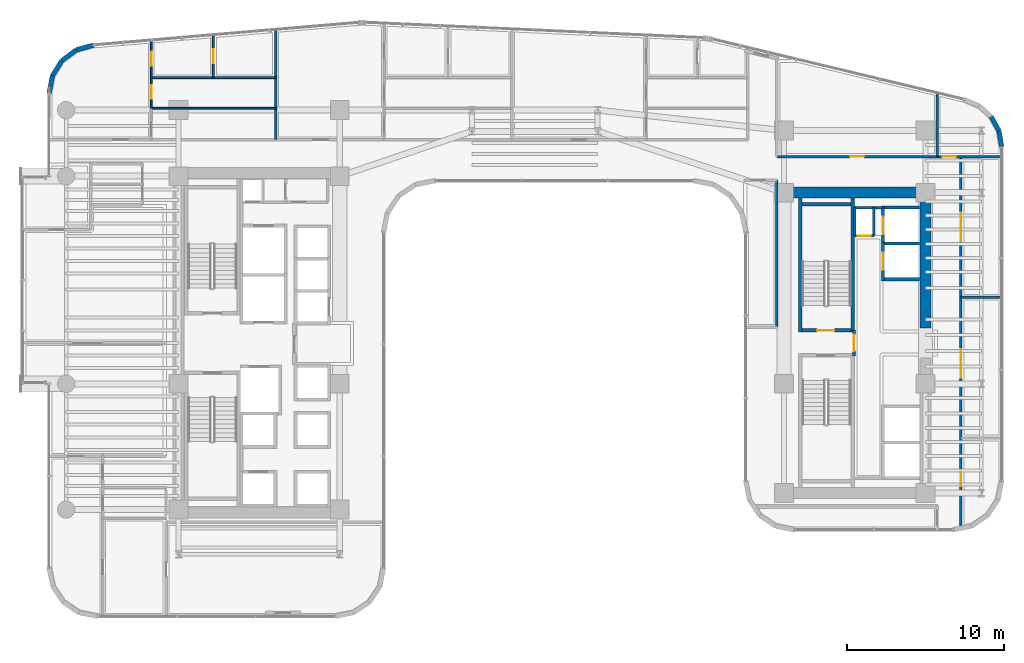
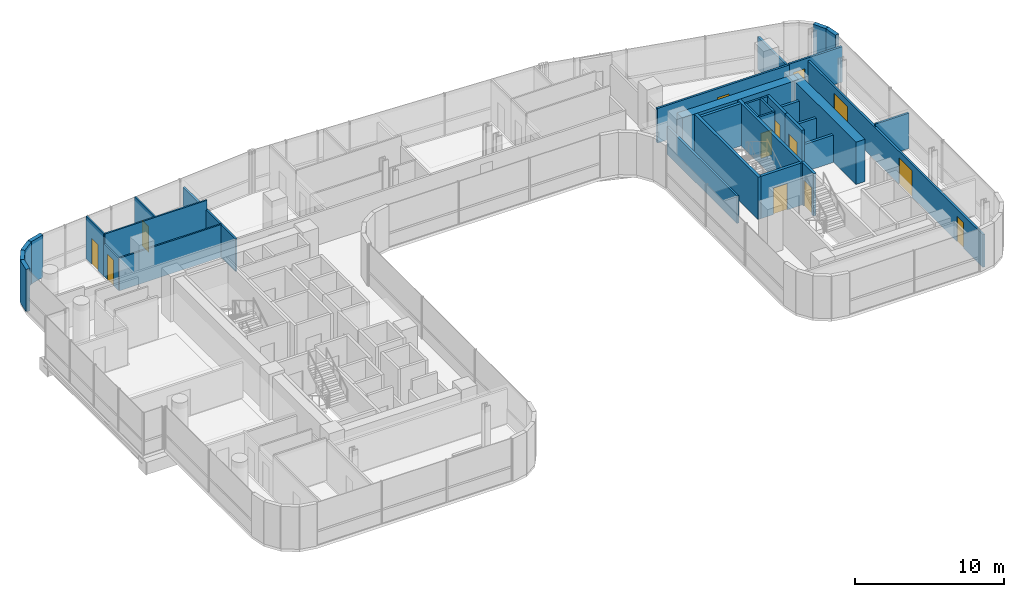
# One storey, part 29 of 35: 34 walls, 13 doors, 13 openings.
"""IFC4 building model written with IfcOpenShell, lengths in metres."""

import ifcopenshell
import ifcopenshell.guid

model = None  # the IFC model being written
_history = None  # IfcOwnerHistory: only IFC2X3 demands one
_inside = {}  # id of a spatial element -> (the spatial element, [elements in it])
_under = {}  # id of a project, library or spatial element -> (it, [spatial elements below it])
_declared = {}  # id of a project -> (the project, [libraries it declares])
_typed = {}  # id of a type object -> (the type object, [elements of that type])
_made_of = {}  # id of a material, layer set ... -> (it, [elements and type objects made of it])


def new_model(schema):
    """Start an empty IFC model of exactly this schema.

    Asked for "IFC4X3", IfcOpenShell would pick the latest addendum, in which some entities
    have other attributes; the version numbers below select the first issue.
    IFC2X3 requires an IfcOwnerHistory on every rooted entity: one is made here for all.
    """
    global model, _history
    if schema == "IFC4X3":
        model = ifcopenshell.file(schema_version=(4, 3, 0, 0))
    else:
        model = ifcopenshell.file(schema=schema)
    _inside.clear()
    _under.clear()
    _declared.clear()
    _typed.clear()
    _made_of.clear()
    _history = None
    if model.schema == "IFC2X3":
        org = make("IfcOrganization", Name="unknown")
        user = make(
            "IfcPersonAndOrganization",
            ThePerson=make("IfcPerson", FamilyName="unknown"),
            TheOrganization=org,
        )
        app = make(
            "IfcApplication",
            ApplicationDeveloper=org,
            Version="unknown",
            ApplicationFullName="unknown",
            ApplicationIdentifier="unknown",
        )
        _history = make(
            "IfcOwnerHistory",
            OwningUser=user,
            OwningApplication=app,
            ChangeAction="ADDED",
            CreationDate=0,
        )
    return model


def make(cls, **values):
    """One entity of the class cls with the attributes given. An attribute that is None is left unset."""
    return model.create_entity(
        cls, **{name: value for name, value in values.items() if value is not None}
    )


def rooted(cls, **values):
    """An entity with a GlobalId (a new one), such as an element, a storey or a relation."""
    return make(cls, GlobalId=ifcopenshell.guid.new(), OwnerHistory=_history, **values)


def si_unit(unit_type, name, prefix=None):
    """IfcSIUnit, for example si_unit("LENGTHUNIT", "METRE", prefix="MILLI")."""
    return make("IfcSIUnit", UnitType=unit_type, Prefix=prefix, Name=name)


def assignment(units):
    """IfcUnitAssignment: the units of a project."""
    return None if units is None else make("IfcUnitAssignment", Units=units)


def point(xyz):
    """IfcCartesianPoint."""
    return None if xyz is None else make("IfcCartesianPoint", Coordinates=xyz)


def direction(xyz):
    """IfcDirection."""
    return None if xyz is None else make("IfcDirection", DirectionRatios=xyz)


def frame(location, z_axis=None, x_axis=None):
    """IfcAxis2Placement3D, a coordinate frame: its origin and axes. An axis left out is left unset."""
    return make(
        "IfcAxis2Placement3D",
        Location=point(location),
        Axis=direction(z_axis),
        RefDirection=direction(x_axis),
    )


def frame_2d(location, x_axis=None):
    """IfcAxis2Placement2D, a coordinate frame in the plane: its origin and x axis."""
    return make(
        "IfcAxis2Placement2D", Location=point(location), RefDirection=direction(x_axis)
    )


def origin():
    """The frame at (0, 0, 0) with its axes left unset."""
    return frame((0.0, 0.0, 0.0))


def place(relative_to, where):
    """IfcLocalPlacement: puts the frame where relative to a parent placement (None: the world)."""
    return make(
        "IfcLocalPlacement", PlacementRelTo=relative_to, RelativePlacement=where
    )


def context(
    kind, dimensions, precision=None, world=None, true_north=None, identifier=None
):
    """IfcGeometricRepresentationContext, for example the 3D "Model" context."""
    return make(
        "IfcGeometricRepresentationContext",
        ContextIdentifier=identifier,
        ContextType=kind,
        CoordinateSpaceDimension=dimensions,
        Precision=precision,
        WorldCoordinateSystem=world,
        TrueNorth=true_north,
    )


def subcontext(parent, identifier, kind, view, scale=None):
    """IfcGeometricRepresentationSubContext, for example "Body" below "Model"."""
    return make(
        "IfcGeometricRepresentationSubContext",
        ContextIdentifier=identifier,
        ContextType=kind,
        ParentContext=parent,
        TargetScale=scale,
        TargetView=view,
    )


def project(units=None, contexts=None):
    """IfcProject with its units and contexts."""
    return rooted(
        "IfcProject",
        Name="project",
        RepresentationContexts=contexts,
        UnitsInContext=assignment(units),
    )


def spatial(cls, under=None, at=None, **own):
    """A site, building, storey or space (cls), placed at a placement, below another one or the project."""
    s = rooted(cls, ObjectPlacement=at, **own)
    if under is not None:
        _under.setdefault(under.id(), (under, []))[1].append(s)
    return s


def profile(cls, at=None, kind="AREA", **sizes):
    """A parametric profile (cls). Its sizes go by their IFC names, for example OverallWidth=200.0."""
    return make(cls, ProfileType=kind, Position=at, **sizes)


def rectangle(**sizes):
    """IfcRectangleProfileDef."""
    return profile("IfcRectangleProfileDef", **sizes)


def extrude(swept, where, along, depth):
    """IfcExtrudedAreaSolid: the profile swept, set in the frame where, extruded along a direction by depth."""
    return make(
        "IfcExtrudedAreaSolid",
        SweptArea=swept,
        Position=where,
        ExtrudedDirection=direction(along),
        Depth=depth,
    )


def shape(context_of_items, identifier, shape_type, items):
    """IfcShapeRepresentation: the items that make up one representation, for example the "Body"."""
    return make(
        "IfcShapeRepresentation",
        ContextOfItems=context_of_items,
        RepresentationIdentifier=identifier,
        RepresentationType=shape_type,
        Items=items,
    )


def material(Name=None, Category=None):
    """IfcMaterial."""
    return make("IfcMaterial", Name=Name, Category=Category)


def layer(
    of_material, thickness, ventilated=None, Name=None, Category=None, Priority=None
):
    """IfcMaterialLayer: one layer of a wall or slab, of a material (None: an air gap)."""
    return make(
        "IfcMaterialLayer",
        Material=of_material,
        LayerThickness=thickness,
        IsVentilated=ventilated,
        Name=Name,
        Category=Category,
        Priority=Priority,
    )


def layer_set(layers, Name=None):
    """IfcMaterialLayerSet."""
    return make("IfcMaterialLayerSet", MaterialLayers=layers, LayerSetName=Name)


def made_of(thing, what):
    """Note that an element or type object is made of a material, layer set ...; save() writes the relation."""
    if what is not None:
        _made_of.setdefault(what.id(), (what, []))[1].append(thing)
    return thing


def type_object(cls, material=None, **own):
    """A type object (cls), such as IfcWallType, which elements share."""
    return made_of(rooted(cls, **own), material)


def element(
    cls,
    number,
    at=None,
    inside=None,
    cuts=None,
    type_object=None,
    material=None,
    context=None,
    identifier="Body",
    shape_type=None,
    held_by="IfcProductDefinitionShape",
    body=None,
    shapes=None,
    **own,
):
    """One element of the class cls, such as IfcWall. Its Tag is "e" and its number.

    at: its placement. inside: the storey or other place that contains it. cuts: it is an
    opening in that element (IfcRelVoidsElement). A single representation is given by context,
    identifier, shape_type and body (its items); several are given by shapes. held_by: the class
    of the entity that holds the representations. save() writes the other relations.
    """
    e = rooted(cls, Tag="e%d" % number, ObjectPlacement=at, **own)
    if body is not None:
        shapes = [shape(context, identifier, shape_type, body)]
    if shapes is not None:
        e.Representation = make(held_by, Representations=shapes)
    if inside is not None:
        _inside.setdefault(inside.id(), (inside, []))[1].append(e)
    if cuts is not None:
        rooted(
            "IfcRelVoidsElement", RelatingBuildingElement=cuts, RelatedOpeningElement=e
        )
    if type_object is not None:
        _typed.setdefault(type_object.id(), (type_object, []))[1].append(e)
    return made_of(e, material)


def fill(opening, filler):
    """IfcRelFillsElement: the door or window that sits in an opening."""
    return rooted(
        "IfcRelFillsElement",
        RelatingOpeningElement=opening,
        RelatedBuildingElement=filler,
    )


def aggregate(whole, parts):
    """IfcRelAggregates: a whole, such as a stair, and the parts it consists of."""
    return rooted("IfcRelAggregates", RelatingObject=whole, RelatedObjects=parts)


def save(model, path):
    """Write the relations noted so far, then the file.

    IfcRelAggregates (storeys below a building ...), IfcRelContainedInSpatialStructure (elements
    in a storey), IfcRelDefinesByType, IfcRelAssociatesMaterial and IfcRelDeclares: one each for
    every whole, place, type object, material and project.
    """
    for whole, parts in _under.values():
        aggregate(whole, parts)
    for where, things in _inside.values():
        rooted(
            "IfcRelContainedInSpatialStructure",
            RelatedElements=things,
            RelatingStructure=where,
        )
    for kind, things in _typed.values():
        rooted("IfcRelDefinesByType", RelatedObjects=things, RelatingType=kind)
    for what, things in _made_of.values():
        rooted("IfcRelAssociatesMaterial", RelatedObjects=things, RelatingMaterial=what)
    for by, libraries in _declared.values():
        rooted("IfcRelDeclares", RelatingContext=by, RelatedDefinitions=libraries)
    model.write(path)


model = new_model("IFC4")

# Units and contexts
model_context = context("Model", 3, precision=1e-05, world=origin(), true_north=direction((0.0, 1.0)))
body_context = subcontext(model_context, "Body", "Model", "MODEL_VIEW")
ifc_project = project(units=[si_unit("LENGTHUNIT", "METRE"), si_unit("AREAUNIT", "SQUARE_METRE"), si_unit("VOLUMEUNIT", "CUBIC_METRE"), si_unit("PLANEANGLEUNIT", "RADIAN"), si_unit("MASSUNIT", "GRAM", prefix="KILO")], contexts=[model_context])

# Site, building, storey
site_placement = place(None, origin())
site = spatial("IfcSite", under=ifc_project, at=site_placement, CompositionType="ELEMENT")
building_placement = place(site_placement, origin())
building = spatial("IfcBuilding", under=site, at=building_placement, Name="Valdorenza Pilgrim Sanctuary Tower", CompositionType="ELEMENT")
storey_placement = place(building_placement, frame((0.0, 0.0, 105.699951171875)))
storey = spatial("IfcBuildingStorey", under=building, at=storey_placement, Name="L26", CompositionType="ELEMENT", Elevation=105.699951171875)

# Wall, opening, door
ifc_material_1 = material(Name="Acoustic twin-stud gypsum partition", Category="gypsum")
ifc_layer_1 = layer(ifc_material_1, 0.159912109375, Name="Acoustic twin-stud gypsum partition")
ifc_layer_set_1 = layer_set([ifc_layer_1], Name="Acoustic twin-stud gypsum partition")
wall_type_1 = type_object("IfcWallType", Name="WAL-COR-160", PredefinedType="PARTITIONING", material=ifc_layer_set_1)
wall_1_placement = place(storey_placement, frame((20.35009765625, 6.800048828125, 0.0), z_axis=(0.0, 0.0, 1.0), x_axis=(1.0, 0.0, 0.0)))
wall_1 = element("IfcWall", 1, at=wall_1_placement, inside=storey, type_object=wall_type_1, Name="L26 Core B Riser South Wall", PredefinedType="PARTITIONING", context=body_context, shape_type="SweptSolid", body=[
    extrude(rectangle(XDim=1.199951171875, YDim=0.159912109375, at=frame_2d((0.60009765625, 0.0))), origin(), (0.0, 0.0, 1.0), 3.4599609375),
])
opening_1_placement = place(wall_1_placement, frame((0.175048828125, 0.0, 0.0)))
opening_1 = element("IfcOpeningElement", 2, at=opening_1_placement, cuts=wall_1, Name="Opening DR-RS1", PredefinedType="OPENING", context=body_context, shape_type="SweptSolid", body=[
    extrude(rectangle(XDim=0.85009765625, YDim=2.050048828125, at=frame_2d((0.425048828125, 1.02490234375))), frame((0.0, 0.0947265625, 0.0), z_axis=(0.0, -1.0, 0.0), x_axis=(1.0, 0.0, 0.0)), (0.0, 0.0, 1.0), 0.189697265625),
])
ifc_material_2 = material(Name="Painted galvanized steel", Category="steel")
door_type_1 = type_object("IfcDoorType", Name="DR-RSR-850", OperationType="NOTDEFINED", PredefinedType="DOOR", material=ifc_material_2)
door_1_placement = place(opening_1_placement, origin())
door_1 = element("IfcDoor", 3, at=door_1_placement, inside=storey, type_object=door_type_1, Name="L26 Core B Electrical Riser Door", OperationType="SINGLE_SWING_LEFT", OverallHeight=2.050048828125, OverallWidth=0.85009765625, PredefinedType="DOOR", context=body_context, shape_type="SweptSolid", body=[
    extrude(rectangle(XDim=0.85009765625, YDim=2.050048828125, at=frame_2d((0.425048828125, 1.02490234375))), frame((0.0, 0.02490234375, 0.0), z_axis=(0.0, -1.0, 0.0), x_axis=(1.0, 0.0, 0.0)), (0.0, 0.0, 1.0), 0.050048828125),
])
fill(opening_1, door_1)

# Walls
for number, where, z_axis, x_axis, name in (
    (4, (21.550048828125, 6.800048828125, 0.0), (0.0, 0.0, 1.0), (0.0, 1.0, 0.0), "L26 Core B Riser East Wall"),
    (5, (20.35009765625, 6.800048828125, 0.0), (0.0, 0.0, 1.0), (0.0, 1.0, 0.0), "L26 Core B Riser West Wall"),
):
    element("IfcWall", number, at=place(storey_placement, frame(where, z_axis=z_axis, x_axis=x_axis)), inside=storey, type_object=wall_type_1, Name=name, PredefinedType="PARTITIONING", context=body_context, shape_type="SweptSolid", body=[
        extrude(rectangle(XDim=1.800048828125, YDim=0.159912109375, at=frame_2d((0.89990234375, 0.0))), origin(), (0.0, 0.0, 1.0), 3.4599609375),
    ])
wall_2_placement = place(storey_placement, frame((20.300048828125, 8.60009765625, 0.0), z_axis=(0.0, 0.0, 1.0), x_axis=(1.0, 0.0, 0.0)))
element("IfcWall", 6, at=wall_2_placement, inside=storey, type_object=wall_type_1, Name="L26 Core B Lift Hall North End Wall", PredefinedType="PARTITIONING", context=body_context, shape_type="SweptSolid", body=[
    extrude(rectangle(XDim=1.820068359375, YDim=0.159912109375, at=frame_2d((0.91015625, 0.0))), origin(), (0.0, 0.0, 1.0), 3.4599609375),
])

# Wall, opening, door
wall_3_placement = place(storey_placement, frame((15.39990234375, 11.85009765625, 0.0), z_axis=(0.0, 0.0, 1.0), x_axis=(1.0, 0.0, 0.0)))
wall_3 = element("IfcWall", 7, at=wall_3_placement, inside=storey, type_object=wall_type_1, Name="L26 Wing B North Corridor Wall", PredefinedType="PARTITIONING", context=body_context, shape_type="SweptSolid", body=[
    extrude(rectangle(XDim=10.2001953125, YDim=0.159912109375, at=frame_2d((5.10009765625, 0.0))), origin(), (0.0, 0.0, 1.0), 2.833984375),
])
opening_2_placement = place(wall_3_placement, frame((4.64990234375, 0.0, 0.0)))
opening_2 = element("IfcOpeningElement", 8, at=opening_2_placement, cuts=wall_3, Name="Opening DR-RM1", PredefinedType="OPENING", context=body_context, shape_type="SweptSolid", body=[
    extrude(rectangle(XDim=0.89990234375, YDim=2.10009765625, at=frame_2d((0.449951171875, 1.050048828125))), frame((0.0, 0.0947265625, 0.0), z_axis=(0.0, -1.0, 0.0), x_axis=(1.0, 0.0, 0.0)), (0.0, 0.0, 1.0), 0.189697265625),
])
ifc_material_3 = material(Name="Solid-core European oak timber", Category="wood")
door_type_2 = type_object("IfcDoorType", Name="DR-ROOM-900", OperationType="NOTDEFINED", PredefinedType="DOOR", material=ifc_material_3)
door_2_placement = place(opening_2_placement, origin())
door_2 = element("IfcDoor", 9, at=door_2_placement, inside=storey, type_object=door_type_2, Name="L26 Curator Research Office L26-BN1 Door", OperationType="SINGLE_SWING_RIGHT", OverallHeight=2.10009765625, OverallWidth=0.89990234375, PredefinedType="DOOR", context=body_context, shape_type="SweptSolid", body=[
    extrude(rectangle(XDim=0.89990234375, YDim=2.10009765625, at=frame_2d((0.449951171875, 1.050048828125))), frame((0.0, 0.02490234375, 0.0), z_axis=(0.0, -1.0, 0.0), x_axis=(1.0, 0.0, 0.0)), (0.0, 0.0, 1.0), 0.050048828125),
])
fill(opening_2, door_2)

# Wall
wall_4_placement = place(storey_placement, frame((25.60009765625, 11.85009765625, 0.0), z_axis=(0.0, 0.0, 1.0), x_axis=(0.0, 1.0, 0.0)))
element("IfcWall", 10, at=wall_4_placement, inside=storey, type_object=wall_type_1, Name="L26 Wing B North East Wall", PredefinedType="PARTITIONING", context=body_context, shape_type="SweptSolid", body=[
    extrude(rectangle(XDim=4.042236328125, YDim=0.159912109375, at=frame_2d((2.02099609375, 0.0))), origin(), (0.0, 0.0, 1.0), 2.666015625),
])

# Wall, openings, doors
wall_5_placement = place(storey_placement, frame((27.10009765625, -11.660888671875, 0.0), z_axis=(0.0, 0.0, 1.0), x_axis=(0.0, 1.0, 0.0)))
wall_5 = element("IfcWall", 11, at=wall_5_placement, inside=storey, type_object=wall_type_1, Name="L26 Wing B East Corridor Wall", PredefinedType="PARTITIONING", context=body_context, shape_type="SweptSolid", body=[
    extrude(rectangle(XDim=23.510986328125, YDim=0.159912109375, at=frame_2d((11.75537109375, 0.0))), origin(), (0.0, 0.0, 1.0), 2.666015625),
])
opening_3_placement = place(wall_5_placement, frame((2.56005859375, 0.0, 0.0)))
opening_3 = element("IfcOpeningElement", 12, at=opening_3_placement, cuts=wall_5, Name="Opening DR-RM1", PredefinedType="OPENING", context=body_context, shape_type="SweptSolid", body=[
    extrude(rectangle(XDim=0.89990234375, YDim=2.10009765625, at=frame_2d((0.449951171875, 1.050048828125))), frame((0.0, 0.0947265625, 0.0), z_axis=(0.0, -1.0, 0.0), x_axis=(1.0, 0.0, 0.0)), (0.0, 0.0, 1.0), 0.189697265625),
])
opening_4_placement = place(wall_5_placement, frame((9.450927734375, 0.0, 0.0)))
opening_4 = element("IfcOpeningElement", 13, at=opening_4_placement, cuts=wall_5, Name="Opening DR-HL1", PredefinedType="OPENING", context=body_context, shape_type="SweptSolid", body=[
    extrude(rectangle(XDim=1.800048828125, YDim=2.14990234375, at=frame_2d((0.89990234375, 1.074951171875))), frame((0.0, 0.0947265625, 0.0), z_axis=(0.0, -1.0, 0.0), x_axis=(1.0, 0.0, 0.0)), (0.0, 0.0, 1.0), 0.189697265625),
])
opening_5_placement = place(wall_5_placement, frame((18.135986328125, 0.0, 0.0)))
opening_5 = element("IfcOpeningElement", 14, at=opening_5_placement, cuts=wall_5, Name="Opening DR-HL1", PredefinedType="OPENING", context=body_context, shape_type="SweptSolid", body=[
    extrude(rectangle(XDim=1.800048828125, YDim=2.14990234375, at=frame_2d((0.89990234375, 1.074951171875))), frame((0.0, 0.0947265625, 0.0), z_axis=(0.0, -1.0, 0.0), x_axis=(1.0, 0.0, 0.0)), (0.0, 0.0, 1.0), 0.189697265625),
])
ifc_material_4 = material(Name="Acoustic oak and vision-glass double door", Category="glass")
door_type_3 = type_object("IfcDoorType", Name="DR-HALL-1800", OperationType="NOTDEFINED", PredefinedType="DOOR", material=ifc_material_4)
door_3_placement = place(opening_4_placement, origin())
door_3 = element("IfcDoor", 15, at=door_3_placement, inside=storey, type_object=door_type_3, Name="L26 East Reading Lounge L26-EB2 Door", OperationType="DOUBLE_DOOR_SINGLE_SWING", OverallHeight=2.14990234375, OverallWidth=1.800048828125, PredefinedType="DOOR", context=body_context, shape_type="SweptSolid", body=[
    extrude(rectangle(XDim=1.800048828125, YDim=2.14990234375, at=frame_2d((0.89990234375, 1.074951171875))), frame((0.0, 0.02490234375, 0.0), z_axis=(0.0, -1.0, 0.0), x_axis=(1.0, 0.0, 0.0)), (0.0, 0.0, 1.0), 0.050048828125),
])
fill(opening_4, door_3)
door_4_placement = place(opening_5_placement, frame((1.800048828125, 0.0, 0.0), z_axis=(0.0, 0.0, 1.0), x_axis=(-1.0, 0.0, 0.0)))
door_4 = element("IfcDoor", 16, at=door_4_placement, inside=storey, type_object=door_type_3, Name="L26 East Reading Lounge L26-EB3 Door", OperationType="DOUBLE_DOOR_SINGLE_SWING", OverallHeight=2.14990234375, OverallWidth=1.800048828125, PredefinedType="DOOR", context=body_context, shape_type="SweptSolid", body=[
    extrude(rectangle(XDim=1.800048828125, YDim=2.14990234375, at=frame_2d((0.89990234375, 1.074951171875))), frame((0.0, 0.02490234375, 0.0), z_axis=(0.0, -1.0, 0.0), x_axis=(1.0, 0.0, 0.0)), (0.0, 0.0, 1.0), 0.050048828125),
])
fill(opening_5, door_4)
door_5_placement = place(opening_3_placement, frame((0.89990234375, 0.0, 0.0), z_axis=(0.0, 0.0, 1.0), x_axis=(-1.0, 0.0, 0.0)))
door_5 = element("IfcDoor", 17, at=door_5_placement, inside=storey, type_object=door_type_2, Name="L26 East Reading Lounge L26-EB1 Door", OperationType="SINGLE_SWING_LEFT", OverallHeight=2.10009765625, OverallWidth=0.89990234375, PredefinedType="DOOR", context=body_context, shape_type="SweptSolid", body=[
    extrude(rectangle(XDim=0.89990234375, YDim=2.10009765625, at=frame_2d((0.449951171875, 1.050048828125))), frame((0.0, 0.02490234375, 0.0), z_axis=(0.0, -1.0, 0.0), x_axis=(1.0, 0.0, 0.0)), (0.0, 0.0, 1.0), 0.050048828125),
])
fill(opening_3, door_5)

# Wall, opening, door
wall_6_placement = place(storey_placement, frame((25.60009765625, 11.85009765625, 0.0), z_axis=(0.0, 0.0, 1.0), x_axis=(1.0, 0.0, 0.0)))
wall_6 = element("IfcWall", 18, at=wall_6_placement, inside=storey, type_object=wall_type_1, Name="L26 East Wing NE Corner South Wall", PredefinedType="PARTITIONING", context=body_context, shape_type="SweptSolid", body=[
    extrude(rectangle(XDim=4.08984375, YDim=0.159912109375, at=frame_2d((2.044921875, 0.0))), origin(), (0.0, 0.0, 1.0), 2.89599609375),
])
opening_6_placement = place(wall_6_placement, frame((0.300048828125, 0.0, 0.0)))
opening_6 = element("IfcOpeningElement", 19, at=opening_6_placement, cuts=wall_6, Name="Opening DR-RM1", PredefinedType="OPENING", context=body_context, shape_type="SweptSolid", body=[
    extrude(rectangle(XDim=0.89990234375, YDim=2.10009765625, at=frame_2d((0.449951171875, 1.050048828125))), frame((0.0, 0.0947265625, 0.0), z_axis=(0.0, -1.0, 0.0), x_axis=(1.0, 0.0, 0.0)), (0.0, 0.0, 1.0), 0.189697265625),
])
door_6_placement = place(opening_6_placement, origin())
door_6 = element("IfcDoor", 20, at=door_6_placement, inside=storey, type_object=door_type_2, Name="L26 East North Alcove Office L26 Door", OperationType="SINGLE_SWING_RIGHT", OverallHeight=2.10009765625, OverallWidth=0.89990234375, PredefinedType="DOOR", context=body_context, shape_type="SweptSolid", body=[
    extrude(rectangle(XDim=0.89990234375, YDim=2.10009765625, at=frame_2d((0.449951171875, 1.050048828125))), frame((0.0, 0.02490234375, 0.0), z_axis=(0.0, -1.0, 0.0), x_axis=(1.0, 0.0, 0.0)), (0.0, 0.0, 1.0), 0.050048828125),
])
fill(opening_6, door_6)

# Walls
wall_7_placement = place(storey_placement, frame((15.39990234375, 1.0, 0.0), z_axis=(0.0, 0.0, 1.0), x_axis=(0.0, 1.0, 0.0)))
element("IfcWall", 21, at=wall_7_placement, inside=storey, type_object=wall_type_1, Name="L26 Courtyard Overlook East Wall", PredefinedType="PARTITIONING", context=body_context, shape_type="SweptSolid", body=[
    extrude(rectangle(XDim=9.35009765625, YDim=0.159912109375, at=frame_2d((4.675048828125, 0.0))), origin(), (0.0, 0.0, 1.0), 2.2451171875),
])
ifc_material_5 = material(Name="Concrete C60/75", Category="concrete")
ifc_layer_2 = layer(ifc_material_5, 0.699951171875, Name="Concrete C60/75")
ifc_layer_set_2 = layer_set([ifc_layer_2], Name="Concrete C60/75")
wall_type_2 = type_object("IfcWallType", Name="WAL-COR-700", PredefinedType="SHEAR", material=ifc_layer_set_2)
wall_8_placement = place(storey_placement, frame((24.85009765625, 0.949951171875, 0.0), z_axis=(0.0, 0.0, 1.0), x_axis=(0.0, 1.0, 0.0)))
element("IfcWall", 22, at=wall_8_placement, inside=storey, type_object=wall_type_2, Name="L26 Split Core B Shear Wall EN", PredefinedType="SHEAR", context=body_context, shape_type="SweptSolid", body=[
    extrude(rectangle(XDim=8.949951171875, YDim=0.699951171875, at=frame_2d((4.47509765625, 0.0))), origin(), (0.0, 0.0, 1.0), 3.4599609375),
])
wall_9_placement = place(storey_placement, frame((15.85009765625, 9.550048828125, 0.0), z_axis=(0.0, 0.0, 1.0), x_axis=(1.0, 0.0, 0.0)))
element("IfcWall", 23, at=wall_9_placement, inside=storey, type_object=wall_type_2, Name="L26 Split Core B Shear Wall N", PredefinedType="SHEAR", context=body_context, shape_type="SweptSolid", body=[
    extrude(rectangle(XDim=9.0, YDim=0.699951171875, at=frame_2d((4.5, 0.0))), origin(), (0.0, 0.0, 1.0), 3.4599609375),
])
ifc_material_6 = material(Name="Honed travertine limestone", Category="masonry")
ifc_layer_3 = layer(ifc_material_6, 0.300048828125, Name="Honed travertine limestone")
ifc_layer_set_3 = layer_set([ifc_layer_3], Name="Honed travertine limestone")
wall_type_3 = type_object("IfcWallType", Name="WAL-EXT-300", PredefinedType="SOLIDWALL", material=ifc_layer_set_3)
wall_10_placement = place(storey_placement, frame((-30.889892578125, 15.850341796875, 0.0), z_axis=(0.0, 0.0, 1.0), x_axis=(0.184557499391, 0.982821718023, 0.0)))
element("IfcWall", 24, at=wall_10_placement, inside=storey, type_object=wall_type_3, Name="L26 Rounded Wind-Corner Stone Pier 2", PredefinedType="SOLIDWALL", context=body_context, shape_type="SweptSolid", body=[
    extrude(rectangle(XDim=1.15087890625, YDim=0.300048828125, at=frame_2d((0.575439453125, 0.0))), origin(), (0.0, 0.0, 1.0), 3.4599609375),
])
wall_11_placement = place(storey_placement, frame((-30.677490234375, 16.9814453125, 0.0), z_axis=(0.0, 0.0, 1.0), x_axis=(0.52880576008, 0.848742875143, 0.0)))
element("IfcWall", 25, at=wall_11_placement, inside=storey, type_object=wall_type_3, Name="L26 Rounded Wind-Corner Stone Pier 3", PredefinedType="SOLIDWALL", context=body_context, shape_type="SweptSolid", body=[
    extrude(rectangle(XDim=1.140869140625, YDim=0.300048828125, at=frame_2d((0.5703125, 0.0))), origin(), (0.0, 0.0, 1.0), 3.4599609375),
])
wall_12_placement = place(storey_placement, frame((-30.07421875, 17.94970703125, 0.0), z_axis=(0.0, 0.0, 1.0), x_axis=(0.800975009324, 0.598697782223, 0.0)))
element("IfcWall", 26, at=wall_12_placement, inside=storey, type_object=wall_type_3, Name="L26 Rounded Wind-Corner Stone Pier 4", PredefinedType="SOLIDWALL", context=body_context, shape_type="SweptSolid", body=[
    extrude(rectangle(XDim=1.140625, YDim=0.300048828125, at=frame_2d((0.5703125, 0.0))), origin(), (0.0, 0.0, 1.0), 3.4599609375),
])
wall_13_placement = place(storey_placement, frame((-29.16064453125, 18.632568359375, 0.0), z_axis=(0.0, 0.0, 1.0), x_axis=(0.963624193367, 0.267260947313, 0.0)))
element("IfcWall", 27, at=wall_13_placement, inside=storey, type_object=wall_type_3, Name="L26 Rounded Wind-Corner Stone Pier 5", PredefinedType="SOLIDWALL", context=body_context, shape_type="SweptSolid", body=[
    extrude(rectangle(XDim=1.15087890625, YDim=0.300048828125, at=frame_2d((0.575439453125, 0.0))), origin(), (0.0, 0.0, 1.0), 3.4599609375),
])
wall_14_placement = place(storey_placement, frame((29.024658203125, 14.388427734375, 0.0), z_axis=(0.0, 0.0, 1.0), x_axis=(0.480284137298, -0.87711296163, 0.0)))
element("IfcWall", 28, at=wall_14_placement, inside=storey, type_object=wall_type_3, Name="L26 Rounded Wind-Corner Stone Pier 19", PredefinedType="SOLIDWALL", context=body_context, shape_type="SweptSolid", body=[
    extrude(rectangle(XDim=1.02685546875, YDim=0.300048828125, at=frame_2d((0.513427734375, 0.0))), origin(), (0.0, 0.0, 1.0), 3.4599609375),
])
wall_15_placement = place(storey_placement, frame((29.517822265625, 13.48779296875, 0.0), z_axis=(0.0, 0.0, 1.0), x_axis=(0.166156796952, -0.986099345313, 0.0)))
element("IfcWall", 29, at=wall_15_placement, inside=storey, type_object=wall_type_3, Name="L26 Rounded Wind-Corner Stone Pier 20", PredefinedType="SOLIDWALL", context=body_context, shape_type="SweptSolid", body=[
    extrude(rectangle(XDim=1.035888671875, YDim=0.300048828125, at=frame_2d((0.51806640625, 0.0))), origin(), (0.0, 0.0, 1.0), 3.4599609375),
])

# Wall, opening, door
ifc_material_7 = material(Name="Gypsum shaftwall partition", Category="gypsum")
ifc_layer_4 = layer(ifc_material_7, 0.199951171875, Name="Gypsum shaftwall partition")
ifc_layer_set_4 = layer_set([ifc_layer_4], Name="Gypsum shaftwall partition")
wall_type_4 = type_object("IfcWallType", Name="WAL-FFL-200", PredefinedType="PARTITIONING", material=ifc_layer_set_4)
wall_16_placement = place(storey_placement, frame((20.300048828125, -0.820068359375, 0.0), z_axis=(0.0, 0.0, 1.0), x_axis=(0.0, 1.0, 0.0)))
wall_16 = element("IfcWall", 30, at=wall_16_placement, inside=storey, type_object=wall_type_4, Name="L26 Core B Firefighting Lobby East Wall", PredefinedType="PARTITIONING", context=body_context, shape_type="SweptSolid", body=[
    extrude(rectangle(XDim=1.64013671875, YDim=0.199951171875, at=frame_2d((0.820068359375, 0.0))), origin(), (0.0, 0.0, 1.0), 3.4599609375),
])
opening_7_placement = place(wall_16_placement, frame((0.294921875, 0.0, 0.0)))
opening_7 = element("IfcOpeningElement", 31, at=opening_7_placement, cuts=wall_16, Name="Opening DR-FL1", PredefinedType="OPENING", context=body_context, shape_type="SweptSolid", body=[
    extrude(rectangle(XDim=1.050048828125, YDim=2.14990234375, at=frame_2d((0.52490234375, 1.074951171875))), frame((0.0, 0.11474609375, 0.0), z_axis=(0.0, -1.0, 0.0), x_axis=(1.0, 0.0, 0.0)), (0.0, 0.0, 1.0), 0.229736328125),
])
door_type_4 = type_object("IfcDoorType", Name="DR-FFL-1050", OperationType="NOTDEFINED", PredefinedType="DOOR", material=ifc_material_2)
door_7_placement = place(opening_7_placement, origin())
door_7 = element("IfcDoor", 32, at=door_7_placement, inside=storey, type_object=door_type_4, Name="L26 Core B Firefighting Lobby Door", OperationType="SINGLE_SWING_RIGHT", OverallHeight=2.14990234375, OverallWidth=1.050048828125, PredefinedType="DOOR", context=body_context, shape_type="SweptSolid", body=[
    extrude(rectangle(XDim=1.050048828125, YDim=2.14990234375, at=frame_2d((0.52490234375, 1.074951171875))), frame((0.0, 0.02490234375, 0.0), z_axis=(0.0, -1.0, 0.0), x_axis=(1.0, 0.0, 0.0)), (0.0, 0.0, 1.0), 0.050048828125),
])
fill(opening_7, door_7)

# Walls
ifc_material_8 = material(Name="Moisture-resistant gypsum partition", Category="gypsum")
ifc_layer_5 = layer(ifc_material_8, 0.1201171875, Name="Moisture-resistant gypsum partition")
ifc_layer_set_5 = layer_set([ifc_layer_5], Name="Moisture-resistant gypsum partition")
wall_type_5 = type_object("IfcWallType", Name="WAL-INT-120", PredefinedType="PARTITIONING", material=ifc_layer_set_5)
wall_17_placement = place(storey_placement, frame((-24.38720703125, 14.919921875, 0.0), z_axis=(0.0, 0.0, 1.0), x_axis=(1.0, 0.0, 0.0)))
element("IfcWall", 33, at=wall_17_placement, inside=storey, type_object=wall_type_5, Name="L26 North Family Flat L26-N1 Bath-Kitchen Wall", PredefinedType="PARTITIONING", context=body_context, shape_type="SweptSolid", body=[
    extrude(rectangle(XDim=7.904296875, YDim=0.1201171875, at=frame_2d((3.9521484375, 0.0))), origin(), (0.0, 0.0, 1.0), 2.666015625),
])
wall_18_placement = place(storey_placement, frame((-24.38720703125, 16.8701171875, 0.0), z_axis=(0.0, 0.0, 1.0), x_axis=(1.0, 0.0, 0.0)))
element("IfcWall", 34, at=wall_18_placement, inside=storey, type_object=wall_type_5, Name="L26 North Family Flat L26-N1 Kitchen-Bedroom Wall", PredefinedType="PARTITIONING", context=body_context, shape_type="SweptSolid", body=[
    extrude(rectangle(XDim=7.904296875, YDim=0.1201171875, at=frame_2d((3.9521484375, 0.0))), origin(), (0.0, 0.0, 1.0), 3.4599609375),
])

# Wall, opening, door
wall_19_placement = place(storey_placement, frame((-24.38720703125, 14.919921875, 0.0), z_axis=(0.0, 0.0, 1.0), x_axis=(0.0, 1.0, 0.0)))
wall_19 = element("IfcWall", 35, at=wall_19_placement, inside=storey, type_object=wall_type_5, Name="L26 North Family Flat L26-N1 Bathroom Door Wall", PredefinedType="PARTITIONING", context=body_context, shape_type="SweptSolid", body=[
    extrude(rectangle(XDim=1.9501953125, YDim=0.1201171875, at=frame_2d((0.97509765625, 0.0))), origin(), (0.0, 0.0, 1.0), 2.666015625),
])
opening_8_placement = place(wall_19_placement, frame((0.6201171875, 0.0, 0.0)))
opening_8 = element("IfcOpeningElement", 36, at=opening_8_placement, cuts=wall_19, Name="Opening DR-WC1", PredefinedType="OPENING", context=body_context, shape_type="SweptSolid", body=[
    extrude(rectangle(XDim=0.85009765625, YDim=2.10009765625, at=frame_2d((0.425048828125, 1.050048828125))), frame((0.0, 0.074951171875, 0.0), z_axis=(0.0, -1.0, 0.0), x_axis=(1.0, 0.0, 0.0)), (0.0, 0.0, 1.0), 0.14990234375),
])
ifc_material_9 = material(Name="Moisture-resistant lacquered timber", Category="wood")
door_type_5 = type_object("IfcDoorType", Name="DR-BATH-850", OperationType="NOTDEFINED", PredefinedType="DOOR", material=ifc_material_9)
door_8_placement = place(opening_8_placement, origin())
door_8 = element("IfcDoor", 37, at=door_8_placement, inside=storey, type_object=door_type_5, Name="L26 North Family Flat L26-N1 Bathroom Door", OperationType="SINGLE_SWING_RIGHT", OverallHeight=2.10009765625, OverallWidth=0.85009765625, PredefinedType="DOOR", context=body_context, shape_type="SweptSolid", body=[
    extrude(rectangle(XDim=0.85009765625, YDim=2.10009765625, at=frame_2d((0.425048828125, 1.050048828125))), frame((0.0, 0.02490234375, 0.0), z_axis=(0.0, -1.0, 0.0), x_axis=(1.0, 0.0, 0.0)), (0.0, 0.0, 1.0), 0.050048828125),
])
fill(opening_8, door_8)

wall_20_placement = place(storey_placement, frame((-24.38720703125, 16.8701171875, 0.0), z_axis=(0.0, 0.0, 1.0), x_axis=(0.0, 1.0, 0.0)))
wall_20 = element("IfcWall", 38, at=wall_20_placement, inside=storey, type_object=wall_type_5, Name="L26 North Family Flat L26-N1 Bedroom Door Wall", PredefinedType="PARTITIONING", context=body_context, shape_type="SweptSolid", body=[
    extrude(rectangle(XDim=2.381591796875, YDim=0.1201171875, at=frame_2d((1.19091796875, 0.0))), origin(), (0.0, 0.0, 1.0), 3.4599609375),
])
opening_9_placement = place(wall_20_placement, frame((0.740966796875, 0.0, 0.0)))
opening_9 = element("IfcOpeningElement", 39, at=opening_9_placement, cuts=wall_20, Name="Opening DR-RM1", PredefinedType="OPENING", context=body_context, shape_type="SweptSolid", body=[
    extrude(rectangle(XDim=0.89990234375, YDim=2.10009765625, at=frame_2d((0.449951171875, 1.050048828125))), frame((0.0, 0.074951171875, 0.0), z_axis=(0.0, -1.0, 0.0), x_axis=(1.0, 0.0, 0.0)), (0.0, 0.0, 1.0), 0.14990234375),
])
door_9_placement = place(opening_9_placement, origin())
door_9 = element("IfcDoor", 40, at=door_9_placement, inside=storey, type_object=door_type_2, Name="L26 North Family Flat L26-N1 Bedroom 1 Door", OperationType="SINGLE_SWING_RIGHT", OverallHeight=2.10009765625, OverallWidth=0.89990234375, PredefinedType="DOOR", context=body_context, shape_type="SweptSolid", body=[
    extrude(rectangle(XDim=0.89990234375, YDim=2.10009765625, at=frame_2d((0.449951171875, 1.050048828125))), frame((0.0, 0.02490234375, 0.0), z_axis=(0.0, -1.0, 0.0), x_axis=(1.0, 0.0, 0.0)), (0.0, 0.0, 1.0), 0.050048828125),
])
fill(opening_9, door_9)

wall_21_placement = place(storey_placement, frame((-20.43505859375, 16.8701171875, 0.0), z_axis=(0.0, 0.0, 1.0), x_axis=(0.0, 1.0, 0.0)))
wall_21 = element("IfcWall", 41, at=wall_21_placement, inside=storey, type_object=wall_type_5, Name="L26 North Family Flat L26-N1 Bedroom 2 Wall", PredefinedType="PARTITIONING", context=body_context, shape_type="SweptSolid", body=[
    extrude(rectangle(XDim=2.717529296875, YDim=0.1201171875, at=frame_2d((1.35888671875, 0.0))), origin(), (0.0, 0.0, 1.0), 3.4599609375),
])
opening_10_placement = place(wall_21_placement, frame((0.89990234375, 0.0, 0.0)))
opening_10 = element("IfcOpeningElement", 42, at=opening_10_placement, cuts=wall_21, Name="Opening DR-RM1", PredefinedType="OPENING", context=body_context, shape_type="SweptSolid", body=[
    extrude(rectangle(XDim=0.89990234375, YDim=2.10009765625, at=frame_2d((0.449951171875, 1.050048828125))), frame((0.0, 0.074951171875, 0.0), z_axis=(0.0, -1.0, 0.0), x_axis=(1.0, 0.0, 0.0)), (0.0, 0.0, 1.0), 0.14990234375),
])
door_10_placement = place(opening_10_placement, frame((0.89990234375, 0.0, 0.0), z_axis=(0.0, 0.0, 1.0), x_axis=(-1.0, 0.0, 0.0)))
door_10 = element("IfcDoor", 43, at=door_10_placement, inside=storey, type_object=door_type_2, Name="L26 North Family Flat L26-N1 Bedroom 2 Door", OperationType="SINGLE_SWING_LEFT", OverallHeight=2.10009765625, OverallWidth=0.89990234375, PredefinedType="DOOR", context=body_context, shape_type="SweptSolid", body=[
    extrude(rectangle(XDim=0.89990234375, YDim=2.10009765625, at=frame_2d((0.449951171875, 1.050048828125))), frame((0.0, 0.02490234375, 0.0), z_axis=(0.0, -1.0, 0.0), x_axis=(1.0, 0.0, 0.0)), (0.0, 0.0, 1.0), 0.050048828125),
])
fill(opening_10, door_10)

ifc_material_10 = material(Name="Autoclaved aerated concrete blockwork", Category="masonry")
ifc_layer_6 = layer(ifc_material_10, 0.199951171875, Name="Autoclaved aerated concrete blockwork")
ifc_layer_set_6 = layer_set([ifc_layer_6], Name="Autoclaved aerated concrete blockwork")
wall_type_6 = type_object("IfcWallType", Name="WAL-SHF-200", PredefinedType="MOVABLE", material=ifc_layer_set_6)
wall_22_placement = place(storey_placement, frame((22.14990234375, 3.949951171875, 0.0), z_axis=(0.0, 0.0, 1.0), x_axis=(0.0, 1.0, 0.0)))
wall_22 = element("IfcWall", 44, at=wall_22_placement, inside=storey, type_object=wall_type_6, Name="L26 Lift PL-07 Hoistway Wall West", PredefinedType="MOVABLE", context=body_context, shape_type="SweptSolid", body=[
    extrude(rectangle(XDim=2.47509765625, YDim=0.199951171875, at=frame_2d((1.237548828125, 0.0))), origin(), (0.0, 0.0, 1.0), 3.4599609375),
])
opening_11_placement = place(wall_22_placement, frame((0.6875, 0.0, 0.0)))
opening_11 = element("IfcOpeningElement", 45, at=opening_11_placement, cuts=wall_22, Name="Opening LD-01", PredefinedType="OPENING", context=body_context, shape_type="SweptSolid", body=[
    extrude(rectangle(XDim=1.10009765625, YDim=2.10009765625, at=frame_2d((0.550048828125, 1.050048828125))), frame((0.0, 0.11474609375, 0.0), z_axis=(0.0, -1.0, 0.0), x_axis=(1.0, 0.0, 0.0)), (0.0, 0.0, 1.0), 0.229736328125),
])
ifc_material_11 = material(Name="Brushed stainless steel Grade 316", Category="steel")
door_type_6 = type_object("IfcDoorType", Name="DR-LFT-1100", OperationType="DOUBLE_DOOR_SLIDING", PredefinedType="DOOR", material=ifc_material_11)
door_11_placement = place(opening_11_placement, origin())
door_11 = element("IfcDoor", 46, at=door_11_placement, inside=storey, type_object=door_type_6, Name="L26 Lift PL-07 Sliding Landing Door", OperationType="DOUBLE_DOOR_SLIDING", OverallHeight=2.10009765625, OverallWidth=1.10009765625, PredefinedType="DOOR", context=body_context, shape_type="SweptSolid", body=[
    extrude(rectangle(XDim=1.10009765625, YDim=2.10009765625, at=frame_2d((0.550048828125, 1.050048828125))), frame((0.0, 0.02490234375, 0.0), z_axis=(0.0, -1.0, 0.0), x_axis=(1.0, 0.0, 0.0)), (0.0, 0.0, 1.0), 0.050048828125),
])
fill(opening_11, door_11)

# Walls
for number, where, z_axis, x_axis, name in (
    (47, (22.25, 4.050048828125, 0.0), (0.0, 0.0, 1.0), (1.0, 0.0, 0.0), "L26 Lift PL-07 Hoistway Wall South"),
    (48, (22.25, 6.324951171875, 0.0), (0.0, 0.0, 1.0), (1.0, 0.0, 0.0), "L26 Lift PL-07 Hoistway Wall North"),
):
    element("IfcWall", number, at=place(storey_placement, frame(where, z_axis=z_axis, x_axis=x_axis)), inside=storey, type_object=wall_type_6, Name=name, PredefinedType="MOVABLE", context=body_context, shape_type="SweptSolid", body=[
        extrude(rectangle(XDim=2.22998046875, YDim=0.199951171875, at=frame_2d((1.114990234375, 0.0))), origin(), (0.0, 0.0, 1.0), 2.2451171875),
    ])

# Wall, opening, door
wall_23_placement = place(storey_placement, frame((22.14990234375, 6.22509765625, 0.0), z_axis=(0.0, 0.0, 1.0), x_axis=(0.0, 1.0, 0.0)))
wall_23 = element("IfcWall", 49, at=wall_23_placement, inside=storey, type_object=wall_type_6, Name="L26 Lift PL-08 Hoistway Wall West", PredefinedType="MOVABLE", context=body_context, shape_type="SweptSolid", body=[
    extrude(rectangle(XDim=2.474853515625, YDim=0.199951171875, at=frame_2d((1.2373046875, 0.0))), origin(), (0.0, 0.0, 1.0), 3.4599609375),
])
opening_12_placement = place(wall_23_placement, frame((0.6875, 0.0, 0.0)))
opening_12 = element("IfcOpeningElement", 50, at=opening_12_placement, cuts=wall_23, Name="Opening LD-01", PredefinedType="OPENING", context=body_context, shape_type="SweptSolid", body=[
    extrude(rectangle(XDim=1.10009765625, YDim=2.10009765625, at=frame_2d((0.550048828125, 1.050048828125))), frame((0.0, 0.11474609375, 0.0), z_axis=(0.0, -1.0, 0.0), x_axis=(1.0, 0.0, 0.0)), (0.0, 0.0, 1.0), 0.229736328125),
])
door_12_placement = place(opening_12_placement, origin())
door_12 = element("IfcDoor", 51, at=door_12_placement, inside=storey, type_object=door_type_6, Name="L26 Lift PL-08 Sliding Landing Door", OperationType="DOUBLE_DOOR_SLIDING", OverallHeight=2.10009765625, OverallWidth=1.10009765625, PredefinedType="DOOR", context=body_context, shape_type="SweptSolid", body=[
    extrude(rectangle(XDim=1.10009765625, YDim=2.10009765625, at=frame_2d((0.550048828125, 1.050048828125))), frame((0.0, 0.02490234375, 0.0), z_axis=(0.0, -1.0, 0.0), x_axis=(1.0, 0.0, 0.0)), (0.0, 0.0, 1.0), 0.050048828125),
])
fill(opening_12, door_12)

# Walls
wall_24_placement = place(storey_placement, frame((22.25, 8.60009765625, 0.0), z_axis=(0.0, 0.0, 1.0), x_axis=(1.0, 0.0, 0.0)))
element("IfcWall", 52, at=wall_24_placement, inside=storey, type_object=wall_type_6, Name="L26 Lift PL-08 Hoistway Wall North", PredefinedType="MOVABLE", context=body_context, shape_type="SweptSolid", body=[
    extrude(rectangle(XDim=2.22998046875, YDim=0.199951171875, at=frame_2d((1.114990234375, 0.0))), origin(), (0.0, 0.0, 1.0), 2.2451171875),
])
ifc_material_12 = material(Name="Concrete C40/50", Category="concrete")
ifc_layer_7 = layer(ifc_material_12, 0.219970703125, Name="Concrete C40/50")
ifc_layer_set_7 = layer_set([ifc_layer_7], Name="Concrete C40/50")
wall_type_7 = type_object("IfcWallType", Name="WAL-STR-SHF-220", PredefinedType="SHEAR", material=ifc_layer_set_7)
for number, where, z_axis, x_axis, name in (
    (53, (16.889892578125, 0.679931640625, 0.0), (0.0, 0.0, 1.0), (0.0, 1.0, 0.0), "L26 ST-B1 Structural Stairwell Wall W"),
    (54, (20.219970703125, 0.679931640625, 0.0), (0.0, 0.0, 1.0), (0.0, 1.0, 0.0), "L26 ST-B1 Structural Stairwell Wall E"),
):
    element("IfcWall", number, at=place(storey_placement, frame(where, z_axis=z_axis, x_axis=x_axis)), inside=storey, type_object=wall_type_7, Name=name, PredefinedType="SHEAR", context=body_context, shape_type="SweptSolid", body=[
        extrude(rectangle(XDim=8.52001953125, YDim=0.219970703125, at=frame_2d((4.260009765625, 0.0))), origin(), (0.0, 0.0, 1.0), 3.4599609375),
    ])

# Wall, opening, door
wall_25_placement = place(storey_placement, frame((17.0, 0.7900390625, 0.0), z_axis=(0.0, 0.0, 1.0), x_axis=(1.0, 0.0, 0.0)))
wall_25 = element("IfcWall", 55, at=wall_25_placement, inside=storey, type_object=wall_type_7, Name="L26 ST-B1 Structural Stairwell Wall S", PredefinedType="SHEAR", context=body_context, shape_type="SweptSolid", body=[
    extrude(rectangle(XDim=3.110107421875, YDim=0.219970703125, at=frame_2d((1.55517578125, 0.0))), origin(), (0.0, 0.0, 1.0), 3.4599609375),
])
opening_13_placement = place(wall_25_placement, frame((0.949951171875, 0.0, 0.0)))
opening_13 = element("IfcOpeningElement", 56, at=opening_13_placement, cuts=wall_25, Name="Opening DR-ST1", PredefinedType="OPENING", context=body_context, shape_type="SweptSolid", body=[
    extrude(rectangle(XDim=1.10009765625, YDim=2.14990234375, at=frame_2d((0.550048828125, 1.074951171875))), frame((0.0, 0.125, 0.0), z_axis=(0.0, -1.0, 0.0), x_axis=(1.0, 0.0, 0.0)), (0.0, 0.0, 1.0), 0.249755859375),
])
door_type_7 = type_object("IfcDoorType", Name="DR-STAIR-1100", OperationType="NOTDEFINED", PredefinedType="DOOR", material=ifc_material_2)
door_13_placement = place(opening_13_placement, frame((1.10009765625, 0.0, 0.0), z_axis=(0.0, 0.0, 1.0), x_axis=(-1.0, 0.0, 0.0)))
door_13 = element("IfcDoor", 57, at=door_13_placement, inside=storey, type_object=door_type_7, Name="L26 Exit Stair ST-B1 Door", OperationType="SINGLE_SWING_LEFT", OverallHeight=2.14990234375, OverallWidth=1.10009765625, PredefinedType="DOOR", context=body_context, shape_type="SweptSolid", body=[
    extrude(rectangle(XDim=1.10009765625, YDim=2.14990234375, at=frame_2d((0.550048828125, 1.074951171875))), frame((0.0, 0.02490234375, 0.0), z_axis=(0.0, -1.0, 0.0), x_axis=(1.0, 0.0, 0.0)), (0.0, 0.0, 1.0), 0.050048828125),
])
fill(opening_13, door_13)

# Walls
wall_26_placement = place(storey_placement, frame((17.0, 8.81005859375, 0.0), z_axis=(0.0, 0.0, 1.0), x_axis=(1.0, 0.0, 0.0)))
element("IfcWall", 58, at=wall_26_placement, inside=storey, type_object=wall_type_7, Name="L26 ST-B1 Structural Stairwell Wall N", PredefinedType="SHEAR", context=body_context, shape_type="SweptSolid", body=[
    extrude(rectangle(XDim=3.110107421875, YDim=0.219970703125, at=frame_2d((1.55517578125, 0.0))), origin(), (0.0, 0.0, 1.0), 3.4599609375),
])
ifc_layer_8 = layer(ifc_material_1, 0.14990234375, Name="Acoustic twin-stud gypsum partition")
ifc_layer_set_8 = layer_set([ifc_layer_8], Name="Acoustic twin-stud gypsum partition")
wall_type_8 = type_object("IfcWallType", Name="WAL-UNT-150", PredefinedType="PARTITIONING", material=ifc_layer_set_8)
wall_27_placement = place(storey_placement, frame((-16.48291015625, 12.919921875, 0.0), z_axis=(0.0, 0.0, 1.0), x_axis=(0.0, 1.0, 0.0)))
element("IfcWall", 59, at=wall_27_placement, inside=storey, type_object=wall_type_8, Name="L26 North Flat Demising 1", PredefinedType="PARTITIONING", context=body_context, shape_type="SweptSolid", body=[
    extrude(rectangle(XDim=7.003662109375, YDim=0.14990234375, at=frame_2d((3.501953125, 0.0))), origin(), (0.0, 0.0, 1.0), 2.666015625),
])
wall_28_placement = place(storey_placement, frame((27.10009765625, 2.89990234375, 0.0), z_axis=(0.0, 0.0, 1.0), x_axis=(1.0, 0.0, 0.0)))
element("IfcWall", 60, at=wall_28_placement, inside=storey, type_object=wall_type_8, Name="L26 East Reading Lounge L26-EB3 Demising Wall", PredefinedType="PARTITIONING", context=body_context, shape_type="SweptSolid", body=[
    extrude(rectangle(XDim=2.58984375, YDim=0.14990234375, at=frame_2d((1.294921875, 0.0))), origin(), (0.0, 0.0, 1.0), 2.89599609375),
])

save(model, "model.ifc")
